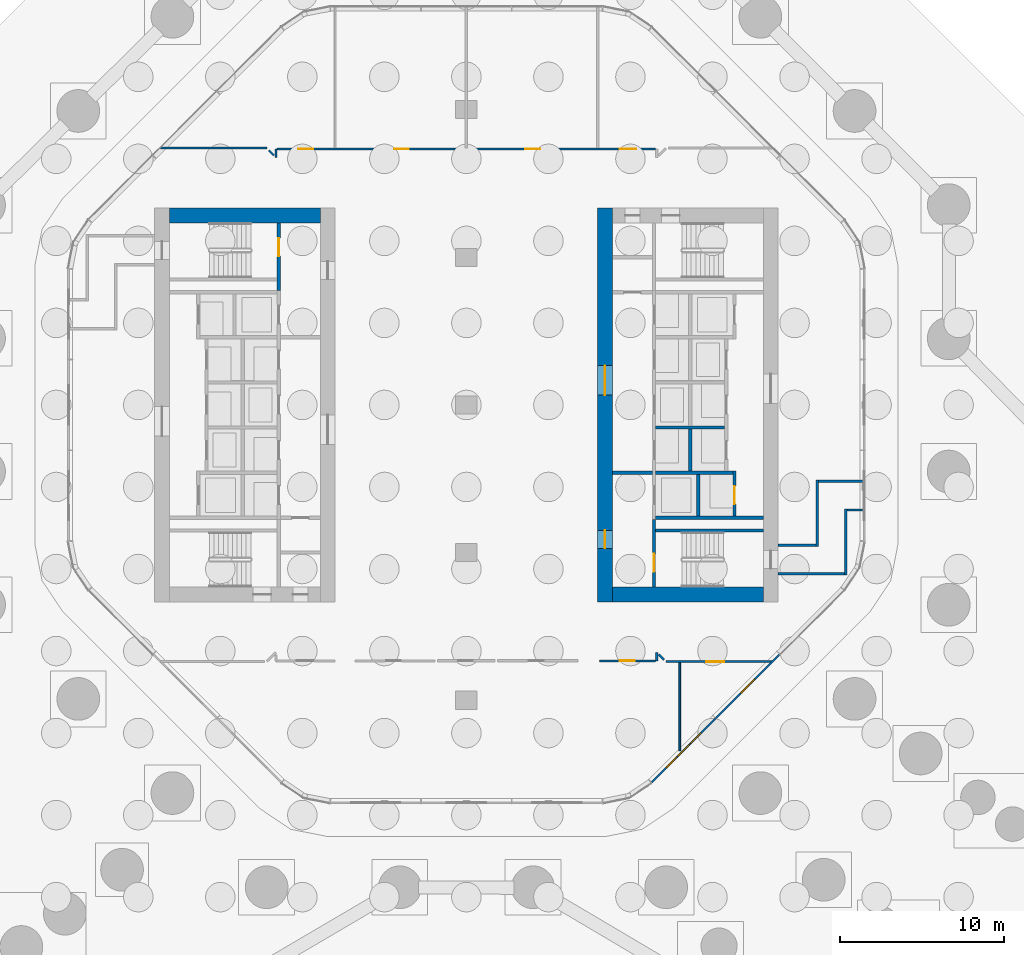
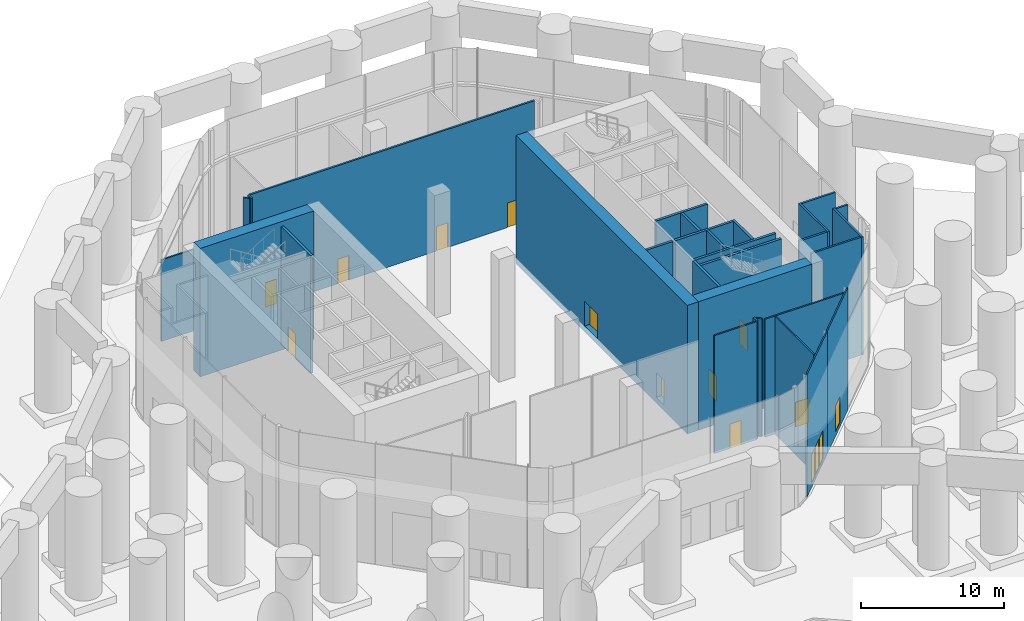
# One storey, part 24 of 31: 30 walls, 13 doors, 2 windows, 15 openings.
"""IFC4 building model written with IfcOpenShell, lengths in metres."""

from ifc_helpers import new_model, si_unit, direction, frame, frame_2d, origin, place, context, subcontext, project, spatial, rectangle, extrude, material, layer, layer_set, type_object, element, fill, save


model = new_model("IFC4")

# Units and contexts
model_context = context("Model", 3, precision=1e-05, world=origin(), true_north=direction((0.0, 1.0)))
body_context = subcontext(model_context, "Body", "Model", "MODEL_VIEW")
ifc_project = project(units=[si_unit("LENGTHUNIT", "METRE"), si_unit("AREAUNIT", "SQUARE_METRE"), si_unit("VOLUMEUNIT", "CUBIC_METRE"), si_unit("PLANEANGLEUNIT", "RADIAN"), si_unit("MASSUNIT", "GRAM", prefix="KILO")], contexts=[model_context])

# Site, building, storey
site_placement = place(None, origin())
site = spatial("IfcSite", under=ifc_project, at=site_placement, CompositionType="ELEMENT")
building_placement = place(site_placement, origin())
building = spatial("IfcBuilding", under=site, at=building_placement, Name="Orlundy Tower", CompositionType="ELEMENT")
storey_placement = place(building_placement, origin())
storey = spatial("IfcBuildingStorey", under=building, at=storey_placement, Name="L00", CompositionType="ELEMENT", Elevation=0.0)

# Walls
ifc_material_1 = material(Name="Concrete C80/95", Category="concrete")
ifc_layer_1 = layer(ifc_material_1, 0.89990234375)
ifc_layer_set_1 = layer_set([ifc_layer_1], Name="CORE WALL 900 C80/95")
wall_type_1 = type_object("IfcWallType", Name="CORE WALL 900 C80/95", PredefinedType="SHEAR", material=ifc_layer_set_1)
for number, where, z_axis, x_axis, name in (
    (1, (-18.10009765625, 11.550048828125, -0.5), (0.0, 0.0, 1.0), (1.0, 0.0, 0.0), "Core wall W-N L00"),
    (2, (8.89990234375, -11.550048828125, -0.5), (0.0, 0.0, 1.0), (1.0, 0.0, 0.0), "Core wall E-S L00"),
):
    element("IfcWall", number, at=place(storey_placement, frame(where, z_axis=z_axis, x_axis=x_axis)), inside=storey, type_object=wall_type_1, Name=name, PredefinedType="SHEAR", context=body_context, shape_type="SweptSolid", body=[
        extrude(rectangle(XDim=9.2001953125, YDim=0.89990234375, at=frame_2d((4.60009765625, 0.0))), origin(), (0.0, 0.0, 1.0), 11.0),
    ])

# Wall, openings, doors
wall_1_placement = place(storey_placement, frame((8.449951171875, -12.0, -0.5), z_axis=(0.0, 0.0, 1.0), x_axis=(0.0, 1.0, 0.0)))
wall_1 = element("IfcWall", 3, at=wall_1_placement, inside=storey, type_object=wall_type_1, Name="Core wall E-W L00", PredefinedType="SHEAR", context=body_context, shape_type="SweptSolid", body=[
    extrude(rectangle(XDim=24.0, YDim=0.89990234375, at=frame_2d((12.0, 0.0))), origin(), (0.0, 0.0, 1.0), 11.0),
])
opening_1_placement = place(wall_1_placement, frame((12.60009765625, 0.0, 0.5)))
opening_1 = element("IfcOpeningElement", 4, at=opening_1_placement, cuts=wall_1, Name="Opening 01060", PredefinedType="OPENING", context=body_context, shape_type="SweptSolid", body=[
    extrude(rectangle(XDim=1.800048828125, YDim=2.10009765625, at=frame_2d((0.89990234375, 1.050048828125))), frame((0.0, 0.4599609375, 0.0), z_axis=(0.0, -1.0, 0.0), x_axis=(1.0, 0.0, 0.0)), (0.0, 0.0, 1.0), 0.919921875),
])
opening_2_placement = place(wall_1_placement, frame((3.25, 0.0, 0.5)))
opening_2 = element("IfcOpeningElement", 5, at=opening_2_placement, cuts=wall_1, Name="Opening 01062", PredefinedType="OPENING", context=body_context, shape_type="SweptSolid", body=[
    extrude(rectangle(XDim=1.10009765625, YDim=2.10009765625, at=frame_2d((0.550048828125, 1.050048828125))), frame((0.0, 0.4599609375, 0.0), z_axis=(0.0, -1.0, 0.0), x_axis=(1.0, 0.0, 0.0)), (0.0, 0.0, 1.0), 0.919921875),
])
ifc_material_2 = material(Name="Steel door set", Category="steel")
door_type_1 = type_object("IfcDoorType", Name="Fire-fighting Lobby Door 1100x2100", OperationType="SINGLE_SWING_LEFT", PredefinedType="DOOR", material=ifc_material_2)
door_1_placement = place(opening_2_placement, origin())
door_1 = element("IfcDoor", 6, at=door_1_placement, inside=storey, type_object=door_type_1, Name="Fire-fighting lobby door 01062", OperationType="SINGLE_SWING_LEFT", OverallHeight=2.10009765625, OverallWidth=1.10009765625, PredefinedType="DOOR", context=body_context, shape_type="SweptSolid", body=[
    extrude(rectangle(XDim=1.10009765625, YDim=2.10009765625, at=frame_2d((0.550048828125, 1.050048828125))), frame((0.0, 0.02490234375, 0.0), z_axis=(0.0, -1.0, 0.0), x_axis=(1.0, 0.0, 0.0)), (0.0, 0.0, 1.0), 0.050048828125),
])
fill(opening_2, door_1)
ifc_material_3 = material(Name="Timber door set", Category="wood")
door_type_2 = type_object("IfcDoorType", Name="Lobby Door 1800x2100", OperationType="DOUBLE_DOOR_DOUBLE_SWING", PredefinedType="DOOR", material=ifc_material_3)
door_2_placement = place(opening_1_placement, origin())
door_2 = element("IfcDoor", 7, at=door_2_placement, inside=storey, type_object=door_type_2, Name="Lift lobby door 01060", OperationType="SINGLE_SWING_RIGHT", OverallHeight=2.10009765625, OverallWidth=1.800048828125, PredefinedType="DOOR", context=body_context, shape_type="SweptSolid", body=[
    extrude(rectangle(XDim=1.800048828125, YDim=2.10009765625, at=frame_2d((0.89990234375, 1.050048828125))), frame((0.0, 0.02490234375, 0.0), z_axis=(0.0, -1.0, 0.0), x_axis=(1.0, 0.0, 0.0)), (0.0, 0.0, 1.0), 0.050048828125),
])
fill(opening_1, door_2)

# Walls
ifc_material_4 = material(Name="Gypsum board partition")
ifc_layer_2 = layer(ifc_material_4, 0.10009765625)
ifc_layer_set_2 = layer_set([ifc_layer_2], Name="Floor partition 100")
wall_type_2 = type_object("IfcWallType", Name="Floor partition 100", PredefinedType="PARTITIONING", material=ifc_layer_set_2)
wall_2_placement = place(storey_placement, frame((13.0, -21.093017578125, 0.0), z_axis=(0.0, 0.0, 1.0), x_axis=(0.0, 1.0, 0.0)))
element("IfcWall", 8, at=wall_2_placement, inside=storey, type_object=wall_type_2, Name="wall-int-L00-017", PredefinedType="PARTITIONING", context=body_context, shape_type="SweptSolid", body=[
    extrude(rectangle(XDim=5.380126953125, YDim=0.10009765625, at=frame_2d((2.68994140625, 0.0))), origin(), (0.0, 0.0, 1.0), 10.10009765625),
])
ifc_material_5 = material(Name="Gypsum board partition, double layer")
ifc_layer_3 = layer(ifc_material_5, 0.125)
ifc_layer_set_3 = layer_set([ifc_layer_3], Name="Floor partition 125")
wall_type_3 = type_object("IfcWallType", Name="Floor partition 125", PredefinedType="PARTITIONING", material=ifc_layer_set_3)
wall_3_placement = place(storey_placement, frame((11.72900390625, -15.20703125, 0.0), z_axis=(0.0, 0.0, 1.0), x_axis=(0.707106781187, -0.707106781187, 0.0)))
element("IfcWall", 9, at=wall_3_placement, inside=storey, type_object=wall_type_3, Name="wall-int-L00-002", PredefinedType="PARTITIONING", context=body_context, shape_type="SweptSolid", body=[
    extrude(rectangle(XDim=0.4482421875, YDim=0.125, at=frame_2d((0.22412109375, 0.0))), origin(), (0.0, 0.0, 1.0), 10.10009765625),
])
wall_4_placement = place(storey_placement, frame((-12.0458984375, 15.52392578125, 0.0), z_axis=(0.0, 0.0, 1.0), x_axis=(0.707106781187, -0.707106781187, 0.0)))
element("IfcWall", 10, at=wall_4_placement, inside=storey, type_object=wall_type_3, Name="wall-int-L00-003", PredefinedType="PARTITIONING", context=body_context, shape_type="SweptSolid", body=[
    extrude(rectangle(XDim=0.449462890625, YDim=0.125, at=frame_2d((0.224609375, 0.0))), origin(), (0.0, 0.0, 1.0), 10.10009765625),
])

# Wall, opening, door
wall_5_placement = place(storey_placement, frame((18.64208984375, -15.65087890625, 0.0), z_axis=(0.0, 0.0, 1.0), x_axis=(-1.0, 0.0, 0.0)))
wall_5 = element("IfcWall", 11, at=wall_5_placement, inside=storey, type_object=wall_type_3, Name="wall-int-L00-005", PredefinedType="PARTITIONING", context=body_context, shape_type="SweptSolid", body=[
    extrude(rectangle(XDim=6.482177734375, YDim=0.125, at=frame_2d((3.2412109375, 0.0))), origin(), (0.0, 0.0, 1.0), 10.10009765625),
])
opening_3_placement = place(wall_5_placement, frame((2.9140625, 0.0, 0.0)))
opening_3 = element("IfcOpeningElement", 12, at=opening_3_placement, cuts=wall_5, Name="Opening 01103", PredefinedType="OPENING", context=body_context, shape_type="SweptSolid", body=[
    extrude(rectangle(XDim=1.10009765625, YDim=2.10009765625, at=frame_2d((0.550048828125, 1.050048828125))), frame((0.0, 0.072509765625, 0.0), z_axis=(0.0, -1.0, 0.0), x_axis=(1.0, 0.0, 0.0)), (0.0, 0.0, 1.0), 0.14501953125),
])
ifc_material_6 = material(Name="Timber door leaf", Category="wood")
door_type_3 = type_object("IfcDoorType", Name="Floor door xwide 1100 FD30S", OperationType="NOTDEFINED", PredefinedType="DOOR", material=ifc_material_6)
door_3_placement = place(opening_3_placement, origin())
door_3 = element("IfcDoor", 13, at=door_3_placement, inside=storey, type_object=door_type_3, Name="Door 01103", OperationType="SINGLE_SWING_RIGHT", OverallHeight=2.10009765625, OverallWidth=1.10009765625, PredefinedType="DOOR", context=body_context, shape_type="SweptSolid", body=[
    extrude(rectangle(XDim=1.10009765625, YDim=2.10009765625, at=frame_2d((0.550048828125, 1.050048828125))), frame((0.0, 0.02490234375, 0.0), z_axis=(0.0, -1.0, 0.0), x_axis=(1.0, 0.0, 0.0)), (0.0, 0.0, 1.0), 0.050048828125),
])
fill(opening_3, door_3)

wall_6_placement = place(storey_placement, frame((11.5390625, -15.60009765625, 0.0), z_axis=(0.0, 0.0, 1.0), x_axis=(-1.0, 0.0, 0.0)))
wall_6 = element("IfcWall", 14, at=wall_6_placement, inside=storey, type_object=wall_type_3, Name="wall-int-L00-010", PredefinedType="PARTITIONING", context=body_context, shape_type="SweptSolid", body=[
    extrude(rectangle(XDim=3.43896484375, YDim=0.125, at=frame_2d((1.719482421875, 0.0))), origin(), (0.0, 0.0, 1.0), 10.10009765625),
])
opening_4_placement = place(wall_6_placement, frame((1.28759765625, 0.0, 0.0)))
opening_4 = element("IfcOpeningElement", 15, at=opening_4_placement, cuts=wall_6, Name="Opening 01104", PredefinedType="OPENING", context=body_context, shape_type="SweptSolid", body=[
    extrude(rectangle(XDim=0.89990234375, YDim=2.10009765625, at=frame_2d((0.449951171875, 1.050048828125))), frame((0.0, 0.072509765625, 0.0), z_axis=(0.0, -1.0, 0.0), x_axis=(1.0, 0.0, 0.0)), (0.0, 0.0, 1.0), 0.14501953125),
])
ifc_material_7 = material(Name="Timber door leaf", Category="wood")
door_type_4 = type_object("IfcDoorType", Name="Floor door single 900 FD30S", OperationType="NOTDEFINED", PredefinedType="DOOR", material=ifc_material_7)
door_4_placement = place(opening_4_placement, origin())
door_4 = element("IfcDoor", 16, at=door_4_placement, inside=storey, type_object=door_type_4, Name="Door 01104", OperationType="SINGLE_SWING_RIGHT", OverallHeight=2.10009765625, OverallWidth=0.89990234375, PredefinedType="DOOR", context=body_context, shape_type="SweptSolid", body=[
    extrude(rectangle(XDim=0.89990234375, YDim=2.10009765625, at=frame_2d((0.449951171875, 1.050048828125))), frame((0.0, 0.02490234375, 0.0), z_axis=(0.0, -1.0, 0.0), x_axis=(1.0, 0.0, 0.0)), (0.0, 0.0, 1.0), 0.050048828125),
])
fill(opening_4, door_4)

# Walls
for number, where, z_axis, x_axis, name in (
    (17, (-11.60107421875, 15.092041015625, 0.0), (0.0, 0.0, 1.0), (0.00192214926, 0.999998152669, 0.0), "wall-int-L00-016"),
    (18, (11.60107421875, -15.60009765625, 0.0), (0.0, 0.0, 1.0), (0.0, 1.0, 0.0), "wall-int-L00-018"),
):
    element("IfcWall", number, at=place(storey_placement, frame(where, z_axis=z_axis, x_axis=x_axis)), inside=storey, type_object=wall_type_3, Name=name, PredefinedType="PARTITIONING", context=body_context, shape_type="SweptSolid", body=[
        extrude(rectangle(XDim=0.508056640625, YDim=0.125, at=frame_2d((0.25390625, 0.0))), origin(), (0.0, 0.0, 1.0), 10.10009765625),
    ])
ifc_material_8 = material(Name="Gypsum board partition, double layer")
ifc_layer_4 = layer(ifc_material_8, 0.125)
ifc_layer_set_4 = layer_set([ifc_layer_4], Name="Floor partition 125 B")
wall_type_4 = type_object("IfcWallType", Name="Floor partition 125 B", PredefinedType="PARTITIONING", material=ifc_layer_set_4)
wall_7_placement = place(storey_placement, frame((-18.64208984375, 15.65087890625, 0.0), z_axis=(0.0, 0.0, 1.0), x_axis=(1.0, 0.0, 0.0)))
element("IfcWall", 19, at=wall_7_placement, inside=storey, type_object=wall_type_4, Name="wall-int-L00-012", PredefinedType="PARTITIONING", context=body_context, shape_type="SweptSolid", body=[
    extrude(rectangle(XDim=6.482177734375, YDim=0.125, at=frame_2d((3.2412109375, 0.0))), origin(), (0.0, 0.0, 1.0), 6.97998046875),
])

# Wall, openings, doors
ifc_material_9 = material(Name="Blockwork shaft wall", Category="masonry")
ifc_layer_5 = layer(ifc_material_9, 0.14990234375)
ifc_layer_set_5 = layer_set([ifc_layer_5], Name="Floor shaft wall 150")
wall_type_5 = type_object("IfcWallType", Name="Floor shaft wall 150", PredefinedType="PARTITIONING", material=ifc_layer_set_5)
wall_8_placement = place(storey_placement, frame((-11.537109375, 15.60107421875, 0.0), z_axis=(0.0, 0.0, 1.0), x_axis=(1.0, 0.0, 0.0)))
wall_8 = element("IfcWall", 20, at=wall_8_placement, inside=storey, type_object=wall_type_5, Name="wall-int-L00-011", PredefinedType="PARTITIONING", context=body_context, shape_type="SweptSolid", body=[
    extrude(rectangle(XDim=23.07421875, YDim=0.14990234375, at=frame_2d((11.537109375, 0.0))), origin(), (0.0, 0.0, 1.0), 10.10009765625),
])
opening_5_placement = place(wall_8_placement, frame((20.887451171875, 0.0, 0.0)))
opening_5 = element("IfcOpeningElement", 21, at=opening_5_placement, cuts=wall_8, Name="Opening 01106", PredefinedType="OPENING", context=body_context, shape_type="SweptSolid", body=[
    extrude(rectangle(XDim=1.0, YDim=2.10009765625, at=frame_2d((0.5, 1.050048828125))), frame((0.0, 0.0849609375, 0.0), z_axis=(0.0, -1.0, 0.0), x_axis=(1.0, 0.0, 0.0)), (0.0, 0.0, 1.0), 0.169921875),
])
opening_6_placement = place(wall_8_placement, frame((15.137451171875, 0.0, 0.0)))
opening_6 = element("IfcOpeningElement", 22, at=opening_6_placement, cuts=wall_8, Name="Opening 01107", PredefinedType="OPENING", context=body_context, shape_type="SweptSolid", body=[
    extrude(rectangle(XDim=0.89990234375, YDim=2.10009765625, at=frame_2d((0.449951171875, 1.050048828125))), frame((0.0, 0.0849609375, 0.0), z_axis=(0.0, -1.0, 0.0), x_axis=(1.0, 0.0, 0.0)), (0.0, 0.0, 1.0), 0.169921875),
])
opening_7_placement = place(wall_8_placement, frame((7.137451171875, 0.0, 0.0)))
opening_7 = element("IfcOpeningElement", 23, at=opening_7_placement, cuts=wall_8, Name="Opening 01108", PredefinedType="OPENING", context=body_context, shape_type="SweptSolid", body=[
    extrude(rectangle(XDim=0.89990234375, YDim=2.10009765625, at=frame_2d((0.449951171875, 1.050048828125))), frame((0.0, 0.0849609375, 0.0), z_axis=(0.0, -1.0, 0.0), x_axis=(1.0, 0.0, 0.0)), (0.0, 0.0, 1.0), 0.169921875),
])
opening_8_placement = place(wall_8_placement, frame((1.28759765625, 0.0, 0.0)))
opening_8 = element("IfcOpeningElement", 24, at=opening_8_placement, cuts=wall_8, Name="Opening 01109", PredefinedType="OPENING", context=body_context, shape_type="SweptSolid", body=[
    extrude(rectangle(XDim=0.89990234375, YDim=2.10009765625, at=frame_2d((0.449951171875, 1.050048828125))), frame((0.0, 0.0849609375, 0.0), z_axis=(0.0, -1.0, 0.0), x_axis=(1.0, 0.0, 0.0)), (0.0, 0.0, 1.0), 0.169921875),
])
ifc_material_10 = material(Name="Timber door leaf", Category="wood")
door_type_5 = type_object("IfcDoorType", Name="Floor door single 900 FD60", OperationType="NOTDEFINED", PredefinedType="DOOR", material=ifc_material_10)
door_5_placement = place(opening_6_placement, origin())
door_5 = element("IfcDoor", 25, at=door_5_placement, inside=storey, type_object=door_type_5, Name="Door 01107", OperationType="SINGLE_SWING_RIGHT", OverallHeight=2.10009765625, OverallWidth=0.89990234375, PredefinedType="DOOR", context=body_context, shape_type="SweptSolid", body=[
    extrude(rectangle(XDim=0.89990234375, YDim=2.10009765625, at=frame_2d((0.449951171875, 1.050048828125))), frame((0.0, 0.02490234375, 0.0), z_axis=(0.0, -1.0, 0.0), x_axis=(1.0, 0.0, 0.0)), (0.0, 0.0, 1.0), 0.050048828125),
])
fill(opening_6, door_5)
door_6_placement = place(opening_7_placement, origin())
door_6 = element("IfcDoor", 26, at=door_6_placement, inside=storey, type_object=door_type_5, Name="Door 01108", OperationType="SINGLE_SWING_LEFT", OverallHeight=2.10009765625, OverallWidth=0.89990234375, PredefinedType="DOOR", context=body_context, shape_type="SweptSolid", body=[
    extrude(rectangle(XDim=0.89990234375, YDim=2.10009765625, at=frame_2d((0.449951171875, 1.050048828125))), frame((0.0, 0.02490234375, 0.0), z_axis=(0.0, -1.0, 0.0), x_axis=(1.0, 0.0, 0.0)), (0.0, 0.0, 1.0), 0.050048828125),
])
fill(opening_7, door_6)
door_7_placement = place(opening_8_placement, origin())
door_7 = element("IfcDoor", 27, at=door_7_placement, inside=storey, type_object=door_type_5, Name="Door 01109", OperationType="SINGLE_SWING_LEFT", OverallHeight=2.10009765625, OverallWidth=0.89990234375, PredefinedType="DOOR", context=body_context, shape_type="SweptSolid", body=[
    extrude(rectangle(XDim=0.89990234375, YDim=2.10009765625, at=frame_2d((0.449951171875, 1.050048828125))), frame((0.0, 0.02490234375, 0.0), z_axis=(0.0, -1.0, 0.0), x_axis=(1.0, 0.0, 0.0)), (0.0, 0.0, 1.0), 0.050048828125),
])
fill(opening_8, door_7)
ifc_material_11 = material(Name="Timber door leaf", Category="wood")
door_type_6 = type_object("IfcDoorType", Name="Floor door wide 1000 FD60", OperationType="NOTDEFINED", PredefinedType="DOOR", material=ifc_material_11)
door_8_placement = place(opening_5_placement, origin())
door_8 = element("IfcDoor", 28, at=door_8_placement, inside=storey, type_object=door_type_6, Name="Door 01106", OperationType="SINGLE_SWING_RIGHT", OverallHeight=2.10009765625, OverallWidth=1.0, PredefinedType="DOOR", context=body_context, shape_type="SweptSolid", body=[
    extrude(rectangle(XDim=1.0, YDim=2.10009765625, at=frame_2d((0.5, 1.050048828125))), frame((0.0, 0.02490234375, 0.0), z_axis=(0.0, -1.0, 0.0), x_axis=(1.0, 0.0, 0.0)), (0.0, 0.0, 1.0), 0.050048828125),
])
fill(opening_5, door_8)

# Wall, opening, door
ifc_material_12 = material(Name="Aluminium bronze and tinted glass", Category="aluminium")
ifc_layer_6 = layer(ifc_material_12, 0.10009765625)
ifc_layer_set_6 = layer_set([ifc_layer_6], Name="Glazed door screen")
wall_type_6 = type_object("IfcWallType", Name="Glazed door screen", PredefinedType="STANDARD", material=ifc_layer_set_6)
wall_9_placement = place(storey_placement, frame((19.0927734375, -15.200927734375, -0.39990234375), z_axis=(0.0, 0.0, 1.0), x_axis=(-0.707106781187, -0.707106781187, 0.0)))
wall_9 = element("IfcWall", 29, at=wall_9_placement, inside=storey, type_object=wall_type_6, Name="Glazed door screen", PredefinedType="STANDARD", context=body_context, shape_type="SweptSolid", body=[
    extrude(rectangle(XDim=5.50390625, YDim=0.10009765625, at=frame_2d((2.751953125, 0.0))), origin(), (0.0, 0.0, 1.0), 10.5),
])
opening_9_placement = place(wall_9_placement, frame((2.152099609375, 0.0, 0.39990234375)))
opening_9 = element("IfcOpeningElement", 30, at=opening_9_placement, cuts=wall_9, Name="Opening 01921", PredefinedType="OPENING", context=body_context, shape_type="SweptSolid", body=[
    extrude(rectangle(XDim=1.199951171875, YDim=2.199951171875, at=frame_2d((0.60009765625, 1.10009765625))), frame((0.0, 0.06005859375, 0.0), z_axis=(0.0, -1.0, 0.0), x_axis=(1.0, 0.0, 0.0)), (0.0, 0.0, 1.0), 0.1201171875),
])
ifc_material_13 = material(Name="Steel painted bronze", Category="steel")
door_type_7 = type_object("IfcDoorType", Name="SD2 service door 1200x2200", OperationType="NOTDEFINED", PredefinedType="DOOR", material=ifc_material_13)
door_9_placement = place(opening_9_placement, origin())
door_9 = element("IfcDoor", 31, at=door_9_placement, inside=storey, type_object=door_type_7, Name="Door 01921", OperationType="SINGLE_SWING_RIGHT", OverallHeight=2.199951171875, OverallWidth=1.199951171875, PredefinedType="DOOR", context=body_context, shape_type="SweptSolid", body=[
    extrude(rectangle(XDim=1.199951171875, YDim=2.199951171875, at=frame_2d((0.60009765625, 1.10009765625))), frame((0.0, 0.02490234375, 0.0), z_axis=(0.0, -1.0, 0.0), x_axis=(1.0, 0.0, 0.0)), (0.0, 0.0, 1.0), 0.050048828125),
])
fill(opening_9, door_9)

# Wall, openings, door, windows
wall_10_placement = place(storey_placement, frame((15.1875, -19.106201171875, -0.39990234375), z_axis=(0.0, 0.0, 1.0), x_axis=(-0.707106781187, -0.707106781187, 0.0)))
wall_10 = element("IfcWall", 32, at=wall_10_placement, inside=storey, type_object=wall_type_6, Name="Glazed door screen", PredefinedType="STANDARD", context=body_context, shape_type="SweptSolid", body=[
    extrude(rectangle(XDim=5.513671875, YDim=0.10009765625, at=frame_2d((2.7568359375, 0.0))), origin(), (0.0, 0.0, 1.0), 10.5),
])
opening_10_placement = place(wall_10_placement, frame((2.2568359375, 0.0, 0.39990234375)))
opening_10 = element("IfcOpeningElement", 33, at=opening_10_placement, cuts=wall_10, Name="Opening 01907", PredefinedType="OPENING", context=body_context, shape_type="SweptSolid", body=[
    extrude(rectangle(XDim=1.0, YDim=2.39990234375, at=frame_2d((0.5, 1.199951171875))), frame((0.0, 0.06005859375, 0.0), z_axis=(0.0, -1.0, 0.0), x_axis=(1.0, 0.0, 0.0)), (0.0, 0.0, 1.0), 0.1201171875),
])
opening_11_placement = place(wall_10_placement, frame((1.2568359375, 0.0, 0.39990234375)))
opening_11 = element("IfcOpeningElement", 34, at=opening_11_placement, cuts=wall_10, Name="Opening W02", PredefinedType="OPENING", context=body_context, shape_type="SweptSolid", body=[
    extrude(rectangle(XDim=0.89990234375, YDim=2.39990234375, at=frame_2d((0.449951171875, 1.199951171875))), frame((0.0, 0.06005859375, 0.0), z_axis=(0.0, -1.0, 0.0), x_axis=(1.0, 0.0, 0.0)), (0.0, 0.0, 1.0), 0.1201171875),
])
opening_12_placement = place(wall_10_placement, frame((3.356689453125, 0.0, 0.39990234375)))
opening_12 = element("IfcOpeningElement", 35, at=opening_12_placement, cuts=wall_10, Name="Opening W02", PredefinedType="OPENING", context=body_context, shape_type="SweptSolid", body=[
    extrude(rectangle(XDim=0.89990234375, YDim=2.39990234375, at=frame_2d((0.449951171875, 1.199951171875))), frame((0.0, 0.06005859375, 0.0), z_axis=(0.0, -1.0, 0.0), x_axis=(1.0, 0.0, 0.0)), (0.0, 0.0, 1.0), 0.1201171875),
])
ifc_material_14 = material(Name="Aluminium bronze and tinted glass", Category="aluminium")
door_type_8 = type_object("IfcDoorType", Name="ED2 entrance door 1000x2400", OperationType="NOTDEFINED", PredefinedType="DOOR", material=ifc_material_14)
door_10_placement = place(opening_10_placement, origin())
door_10 = element("IfcDoor", 36, at=door_10_placement, inside=storey, type_object=door_type_8, Name="Door 01907", OperationType="SINGLE_SWING_LEFT", OverallHeight=2.39990234375, OverallWidth=1.0, PredefinedType="DOOR", context=body_context, shape_type="SweptSolid", body=[
    extrude(rectangle(XDim=1.0, YDim=2.39990234375, at=frame_2d((0.5, 1.199951171875))), frame((0.0, 0.02490234375, 0.0), z_axis=(0.0, -1.0, 0.0), x_axis=(1.0, 0.0, 0.0)), (0.0, 0.0, 1.0), 0.050048828125),
])
fill(opening_10, door_10)
ifc_material_15 = material(Name="Tinted glass in bronze aluminium frame", Category="aluminium")
window_type = type_object("IfcWindowType", Name="SL2 sidelight 900x2400", PartitioningType="SINGLE_PANEL", PredefinedType="WINDOW", material=ifc_material_15)
window_1_placement = place(opening_11_placement, origin())
window_1 = element("IfcWindow", 37, at=window_1_placement, inside=storey, type_object=window_type, Name="Window W02 L00", OverallHeight=2.39990234375, OverallWidth=0.89990234375, PartitioningType="SINGLE_PANEL", PredefinedType="WINDOW", context=body_context, shape_type="SweptSolid", body=[
    extrude(rectangle(XDim=0.89990234375, YDim=2.39990234375, at=frame_2d((0.449951171875, 1.199951171875))), frame((0.0, 0.030029296875, 0.0), z_axis=(0.0, -1.0, 0.0), x_axis=(1.0, 0.0, 0.0)), (0.0, 0.0, 1.0), 0.06005859375),
])
fill(opening_11, window_1)
window_2_placement = place(opening_12_placement, origin())
window_2 = element("IfcWindow", 38, at=window_2_placement, inside=storey, type_object=window_type, Name="Window W02 L00", OverallHeight=2.39990234375, OverallWidth=0.89990234375, PartitioningType="SINGLE_PANEL", PredefinedType="WINDOW", context=body_context, shape_type="SweptSolid", body=[
    extrude(rectangle(XDim=0.89990234375, YDim=2.39990234375, at=frame_2d((0.449951171875, 1.199951171875))), frame((0.0, 0.030029296875, 0.0), z_axis=(0.0, -1.0, 0.0), x_axis=(1.0, 0.0, 0.0)), (0.0, 0.0, 1.0), 0.06005859375),
])
fill(opening_12, window_2)

# Wall, opening, door
ifc_material_16 = material(Name="Concrete C40/50", Category="concrete")
ifc_layer_7 = layer(ifc_material_16, 0.199951171875)
ifc_layer_set_7 = layer_set([ifc_layer_7], Name="Load-bearing Shaft Wall 200")
wall_type_7 = type_object("IfcWallType", Name="Load-bearing Shaft Wall 200", PredefinedType="SOLIDWALL", material=ifc_layer_set_7)
wall_11_placement = place(storey_placement, frame((-11.43994140625, 6.97509765625, 0.0), z_axis=(0.0, 0.0, 1.0), x_axis=(0.0, 1.0, 0.0)))
wall_11 = element("IfcWall", 39, at=wall_11_placement, inside=storey, type_object=wall_type_7, Name="Shaft wall W01-stair-end-n", PredefinedType="SOLIDWALL", context=body_context, shape_type="SweptSolid", body=[
    extrude(rectangle(XDim=4.125, YDim=0.199951171875, at=frame_2d((2.0625, 0.0))), origin(), (0.0, 0.0, 1.0), 10.090087890625),
])
opening_13_placement = place(wall_11_placement, frame((2.10009765625, 0.0, 0.0)))
opening_13 = element("IfcOpeningElement", 40, at=opening_13_placement, cuts=wall_11, Name="Opening 01016", PredefinedType="OPENING", context=body_context, shape_type="SweptSolid", body=[
    extrude(rectangle(XDim=1.10009765625, YDim=2.10009765625, at=frame_2d((0.550048828125, 1.050048828125))), frame((0.0, 0.110107421875, 0.0), z_axis=(0.0, -1.0, 0.0), x_axis=(1.0, 0.0, 0.0)), (0.0, 0.0, 1.0), 0.22021484375),
])
door_11_placement = place(opening_13_placement, origin())
door_11 = element("IfcDoor", 41, at=door_11_placement, inside=storey, type_object=door_type_1, Name="Fire-fighting lobby to stair door 01016", OperationType="SINGLE_SWING_RIGHT", OverallHeight=2.10009765625, OverallWidth=1.10009765625, PredefinedType="DOOR", context=body_context, shape_type="SweptSolid", body=[
    extrude(rectangle(XDim=1.10009765625, YDim=2.10009765625, at=frame_2d((0.550048828125, 1.050048828125))), frame((0.0, 0.02490234375, 0.0), z_axis=(0.0, -1.0, 0.0), x_axis=(1.0, 0.0, 0.0)), (0.0, 0.0, 1.0), 0.050048828125),
])
fill(opening_13, door_11)

wall_12_placement = place(storey_placement, frame((11.43994140625, -6.97509765625, 0.0), z_axis=(0.0, 0.0, 1.0), x_axis=(0.0, -1.0, 0.0)))
wall_12 = element("IfcWall", 42, at=wall_12_placement, inside=storey, type_object=wall_type_7, Name="Shaft wall E01-stair-end-n", PredefinedType="SOLIDWALL", context=body_context, shape_type="SweptSolid", body=[
    extrude(rectangle(XDim=4.125, YDim=0.199951171875, at=frame_2d((2.0625, 0.0))), origin(), (0.0, 0.0, 1.0), 10.090087890625),
])
opening_14_placement = place(wall_12_placement, frame((2.10009765625, 0.0, 0.0)))
opening_14 = element("IfcOpeningElement", 43, at=opening_14_placement, cuts=wall_12, Name="Opening 01065", PredefinedType="OPENING", context=body_context, shape_type="SweptSolid", body=[
    extrude(rectangle(XDim=1.10009765625, YDim=2.10009765625, at=frame_2d((0.550048828125, 1.050048828125))), frame((0.0, 0.110107421875, 0.0), z_axis=(0.0, -1.0, 0.0), x_axis=(1.0, 0.0, 0.0)), (0.0, 0.0, 1.0), 0.22021484375),
])
door_12_placement = place(opening_14_placement, origin())
door_12 = element("IfcDoor", 44, at=door_12_placement, inside=storey, type_object=door_type_1, Name="Fire-fighting lobby to stair door 01065", OperationType="SINGLE_SWING_RIGHT", OverallHeight=2.10009765625, OverallWidth=1.10009765625, PredefinedType="DOOR", context=body_context, shape_type="SweptSolid", body=[
    extrude(rectangle(XDim=1.10009765625, YDim=2.10009765625, at=frame_2d((0.550048828125, 1.050048828125))), frame((0.0, 0.02490234375, 0.0), z_axis=(0.0, -1.0, 0.0), x_axis=(1.0, 0.0, 0.0)), (0.0, 0.0, 1.0), 0.050048828125),
])
fill(opening_14, door_12)

# Walls
wall_13_placement = place(storey_placement, frame((11.5400390625, -7.64990234375, 0.0), z_axis=(0.0, 0.0, 1.0), x_axis=(1.0, 0.0, 0.0)))
element("IfcWall", 45, at=wall_13_placement, inside=storey, type_object=wall_type_7, Name="Shaft wall E01-stair-side-n", PredefinedType="SOLIDWALL", context=body_context, shape_type="SweptSolid", body=[
    extrude(rectangle(XDim=6.56005859375, YDim=0.199951171875, at=frame_2d((3.280029296875, 0.0))), origin(), (0.0, 0.0, 1.0), 10.090087890625),
])
ifc_material_17 = material(Name="Gypsum board partition on steel studs", Category="steel")
ifc_layer_8 = layer(ifc_material_17, 0.199951171875)
ifc_layer_set_8 = layer_set([ifc_layer_8], Name="Partition 200")
wall_type_8 = type_object("IfcWallType", Name="Partition 200", PredefinedType="PARTITIONING", material=ifc_layer_set_8)
wall_14_placement = place(storey_placement, frame((8.89990234375, -4.125, 0.0), z_axis=(0.0, 0.0, 1.0), x_axis=(1.0, 0.0, 0.0)))
element("IfcWall", 46, at=wall_14_placement, inside=storey, type_object=wall_type_8, Name="Partition wall E01-lobby-n", PredefinedType="PARTITIONING", context=body_context, shape_type="SweptSolid", body=[
    extrude(rectangle(XDim=2.440185546875, YDim=0.199951171875, at=frame_2d((1.22021484375, 0.0))), origin(), (0.0, 0.0, 1.0), 10.090087890625),
])
ifc_material_18 = material(Name="Fire-rated blockwork shaft wall", Category="masonry")
ifc_layer_9 = layer(ifc_material_18, 0.14990234375)
ifc_layer_set_9 = layer_set([ifc_layer_9], Name="Shaft Wall 150")
wall_type_9 = type_object("IfcWallType", Name="Shaft Wall 150", PredefinedType="SOLIDWALL", material=ifc_layer_set_9)
wall_15_placement = place(storey_placement, frame((19.0, -8.550048828125, 0.0), z_axis=(0.0, 0.0, 1.0), x_axis=(1.0, 0.0, 0.0)))
element("IfcWall", 47, at=wall_15_placement, inside=storey, type_object=wall_type_9, Name="Exit passage wall ST-E1-1", PredefinedType="SOLIDWALL", context=body_context, shape_type="SweptSolid", body=[
    extrude(rectangle(XDim=2.300048828125, YDim=0.14990234375, at=frame_2d((1.14990234375, 0.0))), origin(), (0.0, 0.0, 1.0), 10.090087890625),
])
wall_16_placement = place(storey_placement, frame((21.375, -8.625, 0.0), z_axis=(0.0, 0.0, 1.0), x_axis=(0.0, 1.0, 0.0)))
element("IfcWall", 48, at=wall_16_placement, inside=storey, type_object=wall_type_9, Name="Exit passage wall ST-E1-2", PredefinedType="SOLIDWALL", context=body_context, shape_type="SweptSolid", body=[
    extrude(rectangle(XDim=4.047607421875, YDim=0.14990234375, at=frame_2d((2.02392578125, 0.0))), origin(), (0.0, 0.0, 1.0), 10.090087890625),
])
wall_17_placement = place(storey_placement, frame((21.449951171875, -4.65234375, 0.0), z_axis=(0.0, 0.0, 1.0), x_axis=(1.0, 0.0, 0.0)))
element("IfcWall", 49, at=wall_17_placement, inside=storey, type_object=wall_type_9, Name="Exit passage wall ST-E1-3", PredefinedType="SOLIDWALL", context=body_context, shape_type="SweptSolid", body=[
    extrude(rectangle(XDim=2.75, YDim=0.14990234375, at=frame_2d((1.375, 0.0))), origin(), (0.0, 0.0, 1.0), 10.090087890625),
])
wall_18_placement = place(storey_placement, frame((19.0, -10.300048828125, 0.0), z_axis=(0.0, 0.0, 1.0), x_axis=(1.0, 0.0, 0.0)))
element("IfcWall", 50, at=wall_18_placement, inside=storey, type_object=wall_type_9, Name="Exit passage wall ST-E1-4", PredefinedType="SOLIDWALL", context=body_context, shape_type="SweptSolid", body=[
    extrude(rectangle(XDim=4.050048828125, YDim=0.14990234375, at=frame_2d((2.02490234375, 0.0))), origin(), (0.0, 0.0, 1.0), 10.090087890625),
])
wall_19_placement = place(storey_placement, frame((23.125, -10.375, 0.0), z_axis=(0.0, 0.0, 1.0), x_axis=(0.0, 1.0, 0.0)))
element("IfcWall", 51, at=wall_19_placement, inside=storey, type_object=wall_type_9, Name="Exit passage wall ST-E1-5", PredefinedType="SOLIDWALL", context=body_context, shape_type="SweptSolid", body=[
    extrude(rectangle(XDim=4.047607421875, YDim=0.14990234375, at=frame_2d((2.02392578125, 0.0))), origin(), (0.0, 0.0, 1.0), 10.090087890625),
])
wall_20_placement = place(storey_placement, frame((23.199951171875, -6.40234375, 0.0), z_axis=(0.0, 0.0, 1.0), x_axis=(1.0, 0.0, 0.0)))
element("IfcWall", 52, at=wall_20_placement, inside=storey, type_object=wall_type_9, Name="Exit passage wall ST-E1-6", PredefinedType="SOLIDWALL", context=body_context, shape_type="SweptSolid", body=[
    extrude(rectangle(XDim=1.0, YDim=0.14990234375, at=frame_2d((0.5, 0.0))), origin(), (0.0, 0.0, 1.0), 10.090087890625),
])
ifc_material_19 = material(Name="Fire-rated blockwork shaft wall", Category="masonry")
ifc_layer_10 = layer(ifc_material_19, 0.199951171875)
ifc_layer_set_10 = layer_set([ifc_layer_10], Name="Shaft Wall 200")
wall_type_10 = type_object("IfcWallType", Name="Shaft Wall 200", PredefinedType="SOLIDWALL", material=ifc_layer_set_10)
wall_21_placement = place(storey_placement, frame((11.5400390625, -6.875, 0.0), z_axis=(0.0, 0.0, 1.0), x_axis=(1.0, 0.0, 0.0)))
element("IfcWall", 53, at=wall_21_placement, inside=storey, type_object=wall_type_10, Name="Shaft wall E01-zone-n", PredefinedType="SOLIDWALL", context=body_context, shape_type="SweptSolid", body=[
    extrude(rectangle(XDim=6.56005859375, YDim=0.199951171875, at=frame_2d((3.280029296875, 0.0))), origin(), (0.0, 0.0, 1.0), 10.090087890625),
])
wall_22_placement = place(storey_placement, frame((11.5400390625, -1.375, 0.0), z_axis=(0.0, 0.0, 1.0), x_axis=(1.0, 0.0, 0.0)))
element("IfcWall", 54, at=wall_22_placement, inside=storey, type_object=wall_type_10, Name="Shaft wall E01-cross+1.375", PredefinedType="SOLIDWALL", context=body_context, shape_type="SweptSolid", body=[
    extrude(rectangle(XDim=4.199951171875, YDim=0.199951171875, at=frame_2d((2.10009765625, 0.0))), origin(), (0.0, 0.0, 1.0), 10.090087890625),
])
wall_23_placement = place(storey_placement, frame((11.5400390625, -4.125, 0.0), z_axis=(0.0, 0.0, 1.0), x_axis=(1.0, 0.0, 0.0)))
element("IfcWall", 55, at=wall_23_placement, inside=storey, type_object=wall_type_10, Name="Shaft wall E01-cross+4.125", PredefinedType="SOLIDWALL", context=body_context, shape_type="SweptSolid", body=[
    extrude(rectangle(XDim=4.699951171875, YDim=0.199951171875, at=frame_2d((2.35009765625, 0.0))), origin(), (0.0, 0.0, 1.0), 10.090087890625),
])
for number, where, z_axis, x_axis, name in (
    (56, (13.639892578125, -1.47509765625, 0.0), (0.0, 0.0, 1.0), (0.0, -1.0, 0.0), "Shaft wall E01-mid-a.3"),
    (57, (14.139892578125, -4.22509765625, 0.0), (0.0, 0.0, 1.0), (0.0, -1.0, 0.0), "Shaft wall E01-mid-b"),
):
    element("IfcWall", number, at=place(storey_placement, frame(where, z_axis=z_axis, x_axis=x_axis)), inside=storey, type_object=wall_type_10, Name=name, PredefinedType="SOLIDWALL", context=body_context, shape_type="SweptSolid", body=[
        extrude(rectangle(XDim=2.5498046875, YDim=0.199951171875, at=frame_2d((1.27490234375, 0.0))), origin(), (0.0, 0.0, 1.0), 10.090087890625),
    ])

# Wall, opening, door
wall_24_placement = place(storey_placement, frame((16.340087890625, -4.02490234375, 0.0), z_axis=(0.0, 0.0, 1.0), x_axis=(0.0, -1.0, 0.0)))
wall_24 = element("IfcWall", 58, at=wall_24_placement, inside=storey, type_object=wall_type_10, Name="Shaft wall E01-front-o-c", PredefinedType="SOLIDWALL", context=body_context, shape_type="SweptSolid", body=[
    extrude(rectangle(XDim=2.75, YDim=0.199951171875, at=frame_2d((1.375, 0.0))), origin(), (0.0, 0.0, 1.0), 10.090087890625),
])
opening_15_placement = place(wall_24_placement, frame((0.925048828125, 0.0, 0.0)))
opening_15 = element("IfcOpeningElement", 59, at=opening_15_placement, cuts=wall_24, Name="Opening 01059", PredefinedType="OPENING", context=body_context, shape_type="SweptSolid", body=[
    extrude(rectangle(XDim=1.10009765625, YDim=2.10009765625, at=frame_2d((0.550048828125, 1.050048828125))), frame((0.0, 0.110107421875, 0.0), z_axis=(0.0, -1.0, 0.0), x_axis=(1.0, 0.0, 0.0)), (0.0, 0.0, 1.0), 0.22021484375),
])
ifc_material_20 = material(Name="Steel door set", Category="steel")
door_type_9 = type_object("IfcDoorType", Name="Landing Door 1100x2100", OperationType="DOUBLE_DOOR_SLIDING", PredefinedType="DOOR", material=ifc_material_20)
door_13_placement = place(opening_15_placement, origin())
door_13 = element("IfcDoor", 60, at=door_13_placement, inside=storey, type_object=door_type_9, Name="Lift landing door LP-09 01059", OperationType="DOUBLE_DOOR_SLIDING", OverallHeight=2.10009765625, OverallWidth=1.10009765625, PredefinedType="DOOR", context=body_context, shape_type="SweptSolid", body=[
    extrude(rectangle(XDim=1.10009765625, YDim=2.10009765625, at=frame_2d((0.550048828125, 1.050048828125))), frame((0.0, 0.02490234375, 0.0), z_axis=(0.0, -1.0, 0.0), x_axis=(1.0, 0.0, 0.0)), (0.0, 0.0, 1.0), 0.050048828125),
])
fill(opening_15, door_13)

save(model, "model.ifc")
